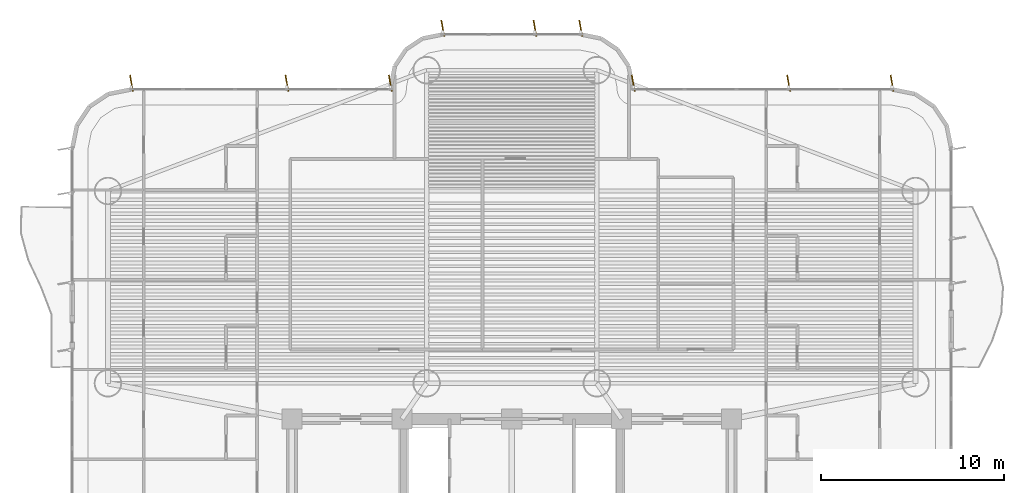
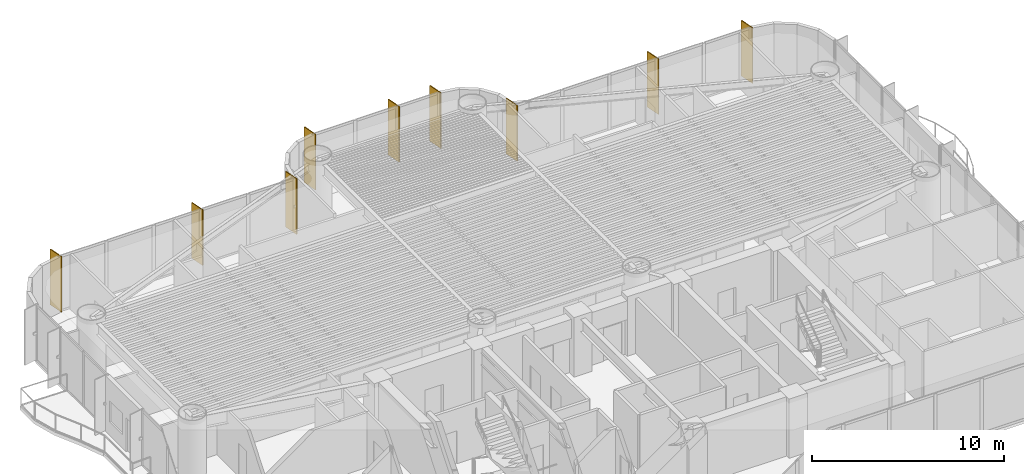
# One storey, part 19 of 19: 9 shading devices.
"""IFC4 building model written with IfcOpenShell, lengths in metres."""

import ifcopenshell
import ifcopenshell.guid

model = None  # the IFC model being written
_history = None  # IfcOwnerHistory: only IFC2X3 demands one
_inside = {}  # id of a spatial element -> (the spatial element, [elements in it])
_under = {}  # id of a project, library or spatial element -> (it, [spatial elements below it])
_declared = {}  # id of a project -> (the project, [libraries it declares])
_typed = {}  # id of a type object -> (the type object, [elements of that type])
_made_of = {}  # id of a material, layer set ... -> (it, [elements and type objects made of it])


def new_model(schema):
    """Start an empty IFC model of exactly this schema.

    Asked for "IFC4X3", IfcOpenShell would pick the latest addendum, in which some entities
    have other attributes; the version numbers below select the first issue.
    IFC2X3 requires an IfcOwnerHistory on every rooted entity: one is made here for all.
    """
    global model, _history
    if schema == "IFC4X3":
        model = ifcopenshell.file(schema_version=(4, 3, 0, 0))
    else:
        model = ifcopenshell.file(schema=schema)
    _inside.clear()
    _under.clear()
    _declared.clear()
    _typed.clear()
    _made_of.clear()
    _history = None
    if model.schema == "IFC2X3":
        org = make("IfcOrganization", Name="unknown")
        user = make(
            "IfcPersonAndOrganization",
            ThePerson=make("IfcPerson", FamilyName="unknown"),
            TheOrganization=org,
        )
        app = make(
            "IfcApplication",
            ApplicationDeveloper=org,
            Version="unknown",
            ApplicationFullName="unknown",
            ApplicationIdentifier="unknown",
        )
        _history = make(
            "IfcOwnerHistory",
            OwningUser=user,
            OwningApplication=app,
            ChangeAction="ADDED",
            CreationDate=0,
        )
    return model


def make(cls, **values):
    """One entity of the class cls with the attributes given. An attribute that is None is left unset."""
    return model.create_entity(
        cls, **{name: value for name, value in values.items() if value is not None}
    )


def rooted(cls, **values):
    """An entity with a GlobalId (a new one), such as an element, a storey or a relation."""
    return make(cls, GlobalId=ifcopenshell.guid.new(), OwnerHistory=_history, **values)


def si_unit(unit_type, name, prefix=None):
    """IfcSIUnit, for example si_unit("LENGTHUNIT", "METRE", prefix="MILLI")."""
    return make("IfcSIUnit", UnitType=unit_type, Prefix=prefix, Name=name)


def assignment(units):
    """IfcUnitAssignment: the units of a project."""
    return None if units is None else make("IfcUnitAssignment", Units=units)


def point(xyz):
    """IfcCartesianPoint."""
    return None if xyz is None else make("IfcCartesianPoint", Coordinates=xyz)


def direction(xyz):
    """IfcDirection."""
    return None if xyz is None else make("IfcDirection", DirectionRatios=xyz)


def frame(location, z_axis=None, x_axis=None):
    """IfcAxis2Placement3D, a coordinate frame: its origin and axes. An axis left out is left unset."""
    return make(
        "IfcAxis2Placement3D",
        Location=point(location),
        Axis=direction(z_axis),
        RefDirection=direction(x_axis),
    )


def frame_2d(location, x_axis=None):
    """IfcAxis2Placement2D, a coordinate frame in the plane: its origin and x axis."""
    return make(
        "IfcAxis2Placement2D", Location=point(location), RefDirection=direction(x_axis)
    )


def origin():
    """The frame at (0, 0, 0) with its axes left unset."""
    return frame((0.0, 0.0, 0.0))


def origin_2d():
    """The frame at (0, 0) in the plane with its x axis left unset."""
    return frame_2d((0.0, 0.0))


def place(relative_to, where):
    """IfcLocalPlacement: puts the frame where relative to a parent placement (None: the world)."""
    return make(
        "IfcLocalPlacement", PlacementRelTo=relative_to, RelativePlacement=where
    )


def context(
    kind, dimensions, precision=None, world=None, true_north=None, identifier=None
):
    """IfcGeometricRepresentationContext, for example the 3D "Model" context."""
    return make(
        "IfcGeometricRepresentationContext",
        ContextIdentifier=identifier,
        ContextType=kind,
        CoordinateSpaceDimension=dimensions,
        Precision=precision,
        WorldCoordinateSystem=world,
        TrueNorth=true_north,
    )


def subcontext(parent, identifier, kind, view, scale=None):
    """IfcGeometricRepresentationSubContext, for example "Body" below "Model"."""
    return make(
        "IfcGeometricRepresentationSubContext",
        ContextIdentifier=identifier,
        ContextType=kind,
        ParentContext=parent,
        TargetScale=scale,
        TargetView=view,
    )


def project(units=None, contexts=None):
    """IfcProject with its units and contexts."""
    return rooted(
        "IfcProject",
        Name="project",
        RepresentationContexts=contexts,
        UnitsInContext=assignment(units),
    )


def spatial(cls, under=None, at=None, **own):
    """A site, building, storey or space (cls), placed at a placement, below another one or the project."""
    s = rooted(cls, ObjectPlacement=at, **own)
    if under is not None:
        _under.setdefault(under.id(), (under, []))[1].append(s)
    return s


def profile(cls, at=None, kind="AREA", **sizes):
    """A parametric profile (cls). Its sizes go by their IFC names, for example OverallWidth=200.0."""
    return make(cls, ProfileType=kind, Position=at, **sizes)


def rectangle(**sizes):
    """IfcRectangleProfileDef."""
    return profile("IfcRectangleProfileDef", **sizes)


def extrude(swept, where, along, depth):
    """IfcExtrudedAreaSolid: the profile swept, set in the frame where, extruded along a direction by depth."""
    return make(
        "IfcExtrudedAreaSolid",
        SweptArea=swept,
        Position=where,
        ExtrudedDirection=direction(along),
        Depth=depth,
    )


def shape(context_of_items, identifier, shape_type, items):
    """IfcShapeRepresentation: the items that make up one representation, for example the "Body"."""
    return make(
        "IfcShapeRepresentation",
        ContextOfItems=context_of_items,
        RepresentationIdentifier=identifier,
        RepresentationType=shape_type,
        Items=items,
    )


def source(mapping_origin, context_of_items, identifier, shape_type, items):
    """IfcRepresentationMap: a shape defined once, which mapped items show again and again."""
    return make(
        "IfcRepresentationMap",
        MappingOrigin=mapping_origin,
        MappedRepresentation=shape(context_of_items, identifier, shape_type, items),
    )


def transform(
    local_origin,
    x_axis=None,
    y_axis=None,
    z_axis=None,
    scale=None,
    scale2=None,
    scale3=None,
    uniform=True,
):
    """IfcCartesianTransformationOperator3D, or its non-uniform kind. x_axis, y_axis, z_axis: its Axis1, 2, 3."""
    if uniform:
        return make(
            "IfcCartesianTransformationOperator3D",
            Axis1=direction(x_axis),
            Axis2=direction(y_axis),
            LocalOrigin=point(local_origin),
            Scale=scale,
            Axis3=direction(z_axis),
        )
    return make(
        "IfcCartesianTransformationOperator3DnonUniform",
        Axis1=direction(x_axis),
        Axis2=direction(y_axis),
        LocalOrigin=point(local_origin),
        Scale=scale,
        Axis3=direction(z_axis),
        Scale2=scale2,
        Scale3=scale3,
    )


def mapped(mapping_source, mapping_target):
    """IfcMappedItem: shows the shape of a source again, moved by a transform."""
    return make(
        "IfcMappedItem", MappingSource=mapping_source, MappingTarget=mapping_target
    )


def material(Name=None, Category=None):
    """IfcMaterial."""
    return make("IfcMaterial", Name=Name, Category=Category)


def material_profile(
    of_material, cross_section, Name=None, Category=None, Priority=None
):
    """IfcMaterialProfile: a cross section and its material."""
    return make(
        "IfcMaterialProfile",
        Name=Name,
        Material=of_material,
        Profile=cross_section,
        Priority=Priority,
        Category=Category,
    )


def profile_set(profiles, Name=None, composite=None):
    """IfcMaterialProfileSet."""
    return make(
        "IfcMaterialProfileSet",
        Name=Name,
        MaterialProfiles=profiles,
        CompositeProfile=composite,
    )


def made_of(thing, what):
    """Note that an element or type object is made of a material, layer set ...; save() writes the relation."""
    if what is not None:
        _made_of.setdefault(what.id(), (what, []))[1].append(thing)
    return thing


def type_object(cls, material=None, **own):
    """A type object (cls), such as IfcWallType, which elements share."""
    return made_of(rooted(cls, **own), material)


def element(
    cls,
    number,
    at=None,
    inside=None,
    cuts=None,
    type_object=None,
    material=None,
    context=None,
    identifier="Body",
    shape_type=None,
    held_by="IfcProductDefinitionShape",
    body=None,
    shapes=None,
    **own,
):
    """One element of the class cls, such as IfcWall. Its Tag is "e" and its number.

    at: its placement. inside: the storey or other place that contains it. cuts: it is an
    opening in that element (IfcRelVoidsElement). A single representation is given by context,
    identifier, shape_type and body (its items); several are given by shapes. held_by: the class
    of the entity that holds the representations. save() writes the other relations.
    """
    e = rooted(cls, Tag="e%d" % number, ObjectPlacement=at, **own)
    if body is not None:
        shapes = [shape(context, identifier, shape_type, body)]
    if shapes is not None:
        e.Representation = make(held_by, Representations=shapes)
    if inside is not None:
        _inside.setdefault(inside.id(), (inside, []))[1].append(e)
    if cuts is not None:
        rooted(
            "IfcRelVoidsElement", RelatingBuildingElement=cuts, RelatedOpeningElement=e
        )
    if type_object is not None:
        _typed.setdefault(type_object.id(), (type_object, []))[1].append(e)
    return made_of(e, material)


def aggregate(whole, parts):
    """IfcRelAggregates: a whole, such as a stair, and the parts it consists of."""
    return rooted("IfcRelAggregates", RelatingObject=whole, RelatedObjects=parts)


def save(model, path):
    """Write the relations noted so far, then the file.

    IfcRelAggregates (storeys below a building ...), IfcRelContainedInSpatialStructure (elements
    in a storey), IfcRelDefinesByType, IfcRelAssociatesMaterial and IfcRelDeclares: one each for
    every whole, place, type object, material and project.
    """
    for whole, parts in _under.values():
        aggregate(whole, parts)
    for where, things in _inside.values():
        rooted(
            "IfcRelContainedInSpatialStructure",
            RelatedElements=things,
            RelatingStructure=where,
        )
    for kind, things in _typed.values():
        rooted("IfcRelDefinesByType", RelatedObjects=things, RelatingType=kind)
    for what, things in _made_of.values():
        rooted("IfcRelAssociatesMaterial", RelatedObjects=things, RelatingMaterial=what)
    for by, libraries in _declared.values():
        rooted("IfcRelDeclares", RelatingContext=by, RelatedDefinitions=libraries)
    model.write(path)


model = new_model("IFC4")

# Units and contexts
model_context = context("Model", 3, precision=1e-05, world=origin(), true_north=direction((0.0, 1.0)))
body_context = subcontext(model_context, "Body", "Model", "MODEL_VIEW")
ifc_project = project(units=[si_unit("LENGTHUNIT", "METRE"), si_unit("AREAUNIT", "SQUARE_METRE"), si_unit("VOLUMEUNIT", "CUBIC_METRE"), si_unit("PLANEANGLEUNIT", "RADIAN"), si_unit("MASSUNIT", "GRAM", prefix="KILO")], contexts=[model_context])

# Site, building, storey
site_placement = place(None, origin())
site = spatial("IfcSite", under=ifc_project, at=site_placement, CompositionType="ELEMENT")
building_placement = place(site_placement, origin())
building = spatial("IfcBuilding", under=site, at=building_placement, Name="Brelvock Crest Care Tower", CompositionType="ELEMENT")
storey_placement = place(building_placement, frame((0.0, 0.0, 64.800048828125)))
storey = spatial("IfcBuildingStorey", under=building, at=storey_placement, Name="L16", CompositionType="ELEMENT", Elevation=64.800048828125)

# Shading devices
ifc_material = material(Name="Aluminium 6063-T6", Category="aluminium")
ifc_material_profile = material_profile(ifc_material, rectangle(XDim=0.054931640625, YDim=0.89990234375, at=origin_2d()), Name="FIN55x900")
ifc_profile_set = profile_set([ifc_material_profile], Name="Aluminium 6063-T6")
shading_device_type = type_object("IfcShadingDeviceType", Name="SHD-FIN1", PredefinedType="USERDEFINED", material=ifc_profile_set)
shared_shape = source(origin(), body_context, "Body", "SweptSolid", [
    extrude(rectangle(XDim=0.054931640625, YDim=0.89990234375, at=origin_2d()), origin(), (0.0, 0.0, 1.0), 3.530029296875),
])
for number, where, z_axis, x_axis, name in (
    (1, (15.232421875, 36.340087890625, 0.0), (0.0, 0.0, 1.0), (0.984807753012, 0.173648177667, 0.0), "L16 Vertical Sunshade Fin E18-01"),
    (2, (23.719970703125, 36.340087890625, 0.0), (0.0, 0.0, 1.0), (0.984807753012, 0.173648177667, 0.0), "L16 Vertical Sunshade Fin E18-04"),
    (3, (29.367431640625, 36.340087890625, 0.0), (0.0, 0.0, 1.0), (0.984807753012, 0.173648177667, 0.0), "L16 Vertical Sunshade Fin E18-06"),
    (4, (32.232421875, 39.340087890625, 0.0), (0.0, 0.0, 1.0), (0.984807753012, 0.173648177667, 0.0), "L16 Vertical Sunshade Fin E24-01"),
    (5, (37.2666015625, 39.340087890625, 0.0), (0.0, 0.0, 1.0), (0.984807753012, 0.173648177667, 0.0), "L16 Vertical Sunshade Fin E24-03"),
    (6, (39.767578125, 39.340087890625, 0.0), (0.0, 0.0, 1.0), (0.984807753012, 0.173648177667, 0.0), "L16 Vertical Sunshade Fin E24-04"),
    (7, (42.632568359375, 36.340087890625, 0.0), (0.0, 0.0, 1.0), (0.984807753012, 0.173648177667, 0.0), "L16 Vertical Sunshade Fin E30-01"),
    (8, (51.1201171875, 36.340087890625, 0.0), (0.0, 0.0, 1.0), (0.984807753012, 0.173648177667, 0.0), "L16 Vertical Sunshade Fin E30-04"),
    (9, (56.767578125, 36.340087890625, 0.0), (0.0, 0.0, 1.0), (0.984807753012, 0.173648177667, 0.0), "L16 Vertical Sunshade Fin E30-06"),
):
    element("IfcShadingDevice", number, at=place(storey_placement, frame(where, z_axis=z_axis, x_axis=x_axis)), inside=storey, type_object=shading_device_type, Name=name, ObjectType="FIN", PredefinedType="USERDEFINED", context=body_context, shape_type="MappedRepresentation", body=[
        mapped(shared_shape, transform((0.0, 0.0, 0.0), x_axis=(1.0, 0.0, 0.0), y_axis=(0.0, 1.0, 0.0), z_axis=(0.0, 0.0, 1.0), scale=1.0)),
    ])

save(model, "model.ifc")
